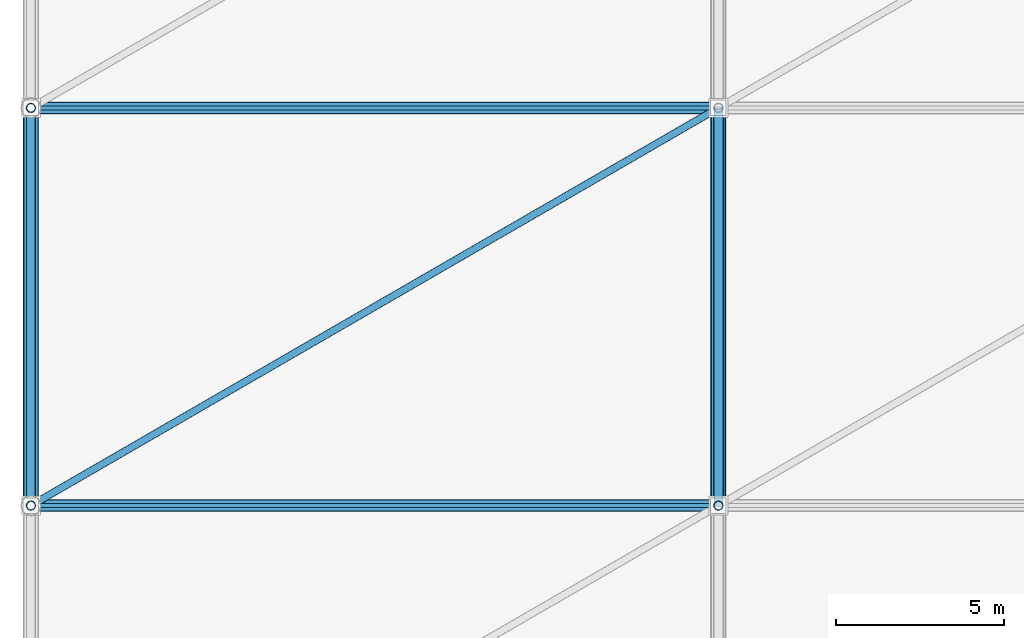
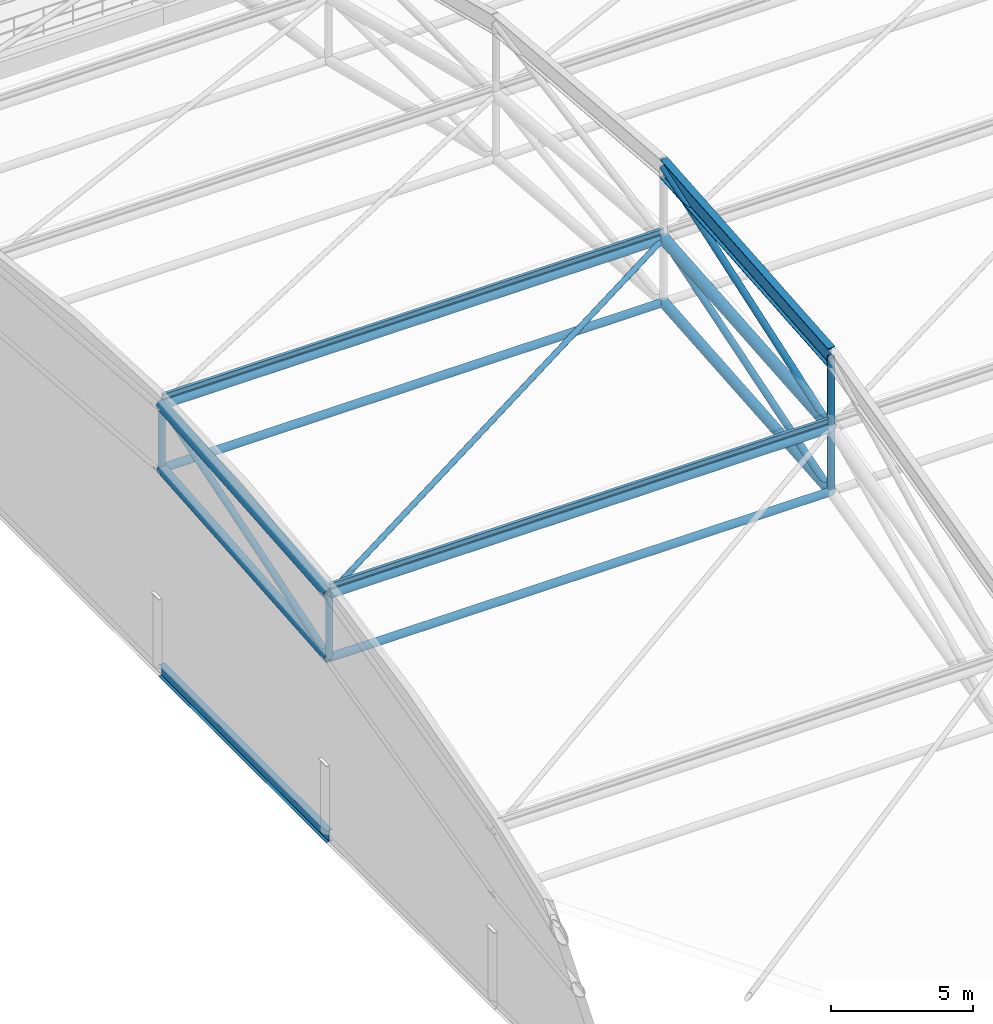
# One storey, part 17 of 135: 18 members, 2 beams.
"""IFC4 building model written with IfcOpenShell, lengths in metres."""

from ifc_helpers import new_model, si_unit, direction, frame, origin, origin_2d, place, context, subcontext, project, spatial, hollow_circle, i_section, extrude, material, material_profile, profile_set, type_object, element, save


model = new_model("IFC4")

# Units and contexts
model_context = context("Model", 3, precision=1e-05, world=origin(), true_north=direction((0.0, 1.0)))
body_context = subcontext(model_context, "Body", "Model", "MODEL_VIEW")
ifc_project = project(units=[si_unit("LENGTHUNIT", "METRE"), si_unit("AREAUNIT", "SQUARE_METRE"), si_unit("VOLUMEUNIT", "CUBIC_METRE"), si_unit("PLANEANGLEUNIT", "RADIAN"), si_unit("MASSUNIT", "GRAM", prefix="KILO")], contexts=[model_context])

# Site, building, storey
site_placement = place(None, origin())
site = spatial("IfcSite", under=ifc_project, at=site_placement, CompositionType="ELEMENT")
building_placement = place(site_placement, origin())
building = spatial("IfcBuilding", under=site, at=building_placement, Name="Brelvane Convention Centre", CompositionType="ELEMENT")
storey_placement = place(building_placement, frame((0.0, 0.0, 15.0)))
storey = spatial("IfcBuildingStorey", under=building, at=storey_placement, Name="L03", CompositionType="ELEMENT", Elevation=15.0)

# Beam
ifc_material_1 = material(Name="Steel E450 (450 MPa)", Category="steel")
ifc_material_profile_1 = material_profile(ifc_material_1, i_section(OverallWidth=0.300048828125, OverallDepth=0.800048828125, WebThickness=0.015380859375, FlangeThickness=0.030029296875, FilletRadius=0.027099609375, at=origin_2d()), Name="NPB 800x300")
ifc_profile_set_1 = profile_set([ifc_material_profile_1], Name="Steel E450 (450 MPa)")
beam_type_1 = type_object("IfcBeamType", Name="Steel Beam B-ST2 (NPB 800x300)", PredefinedType="BEAM", material=ifc_profile_set_1)
beam_1_placement = place(storey_placement, frame((20.39990234375, 52.39990234375, 13.22216796875), z_axis=(0.0, 0.996584470208, 0.082579620615), x_axis=(-1.0, 0.0, 0.0)))
element("IfcBeam", 1, at=beam_1_placement, inside=storey, type_object=beam_type_1, Name="EXO_EXH Exoskeletal Arch Girder 2.3", PredefinedType="BEAM", context=body_context, shape_type="SweptSolid", body=[
    extrude(i_section(OverallWidth=0.300048828125, OverallDepth=0.800048828125, WebThickness=0.015380859375, FlangeThickness=0.030029296875, FilletRadius=0.027099609375, at=origin_2d()), origin(), (0.0, 0.0, 1.0), 11.840576171875),
])

# Members
ifc_material_2 = material(Name="Steel E350 (350 MPa)", Category="steel")
ifc_material_profile_2 = material_profile(ifc_material_2, hollow_circle(Radius=0.136474609375, WallThickness=0.012451171875, at=origin_2d()), Name="CHS 273.0x12.5")
ifc_profile_set_2 = profile_set([ifc_material_profile_2], Name="Steel E350 (350 MPa)")
member_type_1 = type_object("IfcMemberType", Name="Steel Brace SF-DG1 (CHS 273.0x12.5)", PredefinedType="BRACE", material=ifc_profile_set_2)
for number, where, z_axis, x_axis, name in (
    (2, (0.0, 52.39990234375, 7.422119140625), (0.0, 0.953781085444, 0.30050231455), (-1.0, 0.0, 0.0), "SF_EXH Space-Frame Web Diagonal D1.3"),
    (3, (20.39990234375, 52.39990234375, 7.422119140625), (0.0, 0.953781085444, 0.30050231455), (-1.0, 0.0, 0.0), "SF_EXH Space-Frame Web Diagonal D2.3"),
):
    element("IfcMember", number, at=place(storey_placement, frame(where, z_axis=z_axis, x_axis=x_axis)), inside=storey, type_object=member_type_1, Name=name, PredefinedType="BRACE", context=body_context, shape_type="SweptSolid", body=[
        extrude(hollow_circle(Radius=0.136474609375, WallThickness=0.012451171875, at=origin_2d()), origin(), (0.0, 0.0, 1.0), 12.371826171875),
    ])
member_1_placement = place(storey_placement, frame((20.39990234375, 52.39990234375, 10.162109375), z_axis=(0.0, 0.946139843727, 0.323758237134), x_axis=(-1.0, 0.0, 0.0)))
element("IfcMember", 4, at=member_1_placement, inside=storey, type_object=member_type_1, Name="EXO_EXH Exoskeletal Arch Web 2.3", PredefinedType="BRACE", context=body_context, shape_type="SweptSolid", body=[
    extrude(hollow_circle(Radius=0.136474609375, WallThickness=0.012451171875, at=origin_2d()), origin(), (0.0, 0.0, 1.0), 12.4716796875),
])
ifc_material_3 = material(Name="Steel E350 (350 MPa)", Category="steel")
ifc_material_profile_3 = material_profile(ifc_material_3, hollow_circle(Radius=0.109619140625, WallThickness=0.010009765625, at=origin_2d()), Name="CHS 219.1x10.0")
ifc_profile_set_3 = profile_set([ifc_material_profile_3], Name="Steel E350 (350 MPa)")
member_type_2 = type_object("IfcMemberType", Name="Steel Brace SF-DG2 (CHS 219.1x10.0)", PredefinedType="BRACE", material=ifc_profile_set_3)
member_2_placement = place(storey_placement, frame((0.0, 52.39990234375, 10.162109375), z_axis=(0.864873882245, 0.500274651745, 0.041454078585), x_axis=(-0.500705052683, 0.865617958581, 0.0)))
element("IfcMember", 5, at=member_2_placement, inside=storey, type_object=member_type_2, Name="SF_EXH Roof Diaphragm Brace PB1.3", PredefinedType="BRACE", context=body_context, shape_type="SweptSolid", body=[
    extrude(hollow_circle(Radius=0.109619140625, WallThickness=0.010009765625, at=origin_2d()), origin(), (0.0, 0.0, 1.0), 23.587158203125),
])
ifc_material_4 = material(Name="Steel E450 (450 MPa)", Category="steel")
ifc_material_profile_4 = material_profile(ifc_material_4, hollow_circle(Radius=0.203125, WallThickness=0.01611328125, at=origin_2d()), Name="CHS 406.4x16.0")
ifc_profile_set_4 = profile_set([ifc_material_profile_4], Name="Steel E450 (450 MPa)")
member_type_3 = type_object("IfcMemberType", Name="Steel Chord SF-BC1 (CHS 406.4x16.0)", PredefinedType="CHORD", material=ifc_profile_set_4)
for number, where, z_axis, x_axis, name in (
    (6, (0.0, 52.39990234375, 7.422119140625), (0.0, 0.996584470208, 0.082579620615), (-1.0, 0.0, 0.0), "SF_EXH Space-Frame Bottom Chord B1.3"),
    (7, (20.39990234375, 52.39990234375, 7.422119140625), (0.0, 0.996584470208, 0.082579620615), (-1.0, 0.0, 0.0), "SF_EXH Space-Frame Bottom Chord B2.3"),
):
    element("IfcMember", number, at=place(storey_placement, frame(where, z_axis=z_axis, x_axis=x_axis)), inside=storey, type_object=member_type_3, Name=name, PredefinedType="CHORD", context=body_context, shape_type="SweptSolid", body=[
        extrude(hollow_circle(Radius=0.203125, WallThickness=0.01611328125, at=origin_2d()), origin(), (0.0, 0.0, 1.0), 11.840576171875),
    ])
ifc_material_5 = material(Name="Steel E350 (350 MPa)", Category="steel")
ifc_material_profile_5 = material_profile(ifc_material_5, hollow_circle(Radius=0.161865234375, WallThickness=0.012451171875, at=origin_2d()), Name="CHS 323.9x12.5")
ifc_profile_set_5 = profile_set([ifc_material_profile_5], Name="Steel E350 (350 MPa)")
member_type_4 = type_object("IfcMemberType", Name="Steel Chord SF-BC2 (CHS 323.9x12.5)", PredefinedType="CHORD", material=ifc_profile_set_5)
for number, where, z_axis, x_axis, name in (
    (8, (0.0, 52.39990234375, 7.422119140625), (1.0, 0.0, 0.0), (0.0, 1.0, 0.0), "SF_EXH Longitudinal Bottom Chord LB1.3"),
    (9, (0.0, 64.199951171875, 8.39990234375), (1.0, 0.0, 0.0), (0.0, 1.0, 0.0), "SF_EXH Longitudinal Bottom Chord LB1.4"),
):
    element("IfcMember", number, at=place(storey_placement, frame(where, z_axis=z_axis, x_axis=x_axis)), inside=storey, type_object=member_type_4, Name=name, PredefinedType="CHORD", context=body_context, shape_type="SweptSolid", body=[
        extrude(hollow_circle(Radius=0.161865234375, WallThickness=0.012451171875, at=origin_2d()), origin(), (0.0, 0.0, 1.0), 20.39990234375),
    ])
ifc_material_6 = material(Name="Steel E450 (450 MPa)", Category="steel")
ifc_material_profile_6 = material_profile(ifc_material_6, hollow_circle(Radius=0.228515625, WallThickness=0.02001953125, at=origin_2d()), Name="CHS 457.0x20.0")
ifc_profile_set_6 = profile_set([ifc_material_profile_6], Name="Steel E450 (450 MPa)")
member_type_5 = type_object("IfcMemberType", Name="Steel Chord SF-TC1 (CHS 457.0x20.0)", PredefinedType="CHORD", material=ifc_profile_set_6)
for number, where, z_axis, x_axis, name in (
    (10, (0.0, 52.39990234375, 10.162109375), (0.0, 0.996584470208, 0.082579620615), (-1.0, 0.0, 0.0), "SF_EXH Space-Frame Top Chord T1.3"),
    (11, (20.39990234375, 52.39990234375, 10.162109375), (0.0, 0.996584470208, 0.082579620615), (-1.0, 0.0, 0.0), "SF_EXH Space-Frame Top Chord T2.3"),
):
    element("IfcMember", number, at=place(storey_placement, frame(where, z_axis=z_axis, x_axis=x_axis)), inside=storey, type_object=member_type_5, Name=name, PredefinedType="CHORD", context=body_context, shape_type="SweptSolid", body=[
        extrude(hollow_circle(Radius=0.228515625, WallThickness=0.02001953125, at=origin_2d()), origin(), (0.0, 0.0, 1.0), 11.840576171875),
    ])
ifc_material_7 = material(Name="Steel E450 (450 MPa)", Category="steel")
ifc_material_profile_7 = material_profile(ifc_material_7, hollow_circle(Radius=0.177734375, WallThickness=0.01611328125, at=origin_2d()), Name="CHS 355.6x16.0")
ifc_profile_set_7 = profile_set([ifc_material_profile_7], Name="Steel E450 (450 MPa)")
member_type_6 = type_object("IfcMemberType", Name="Steel Chord SF-TC2 (CHS 355.6x16.0)", PredefinedType="CHORD", material=ifc_profile_set_7)
for number, where, z_axis, x_axis, name in (
    (12, (0.0, 52.39990234375, 10.162109375), (1.0, 0.0, 0.0), (0.0, 1.0, 0.0), "SF_EXH Longitudinal Top Chord LT1.3"),
    (13, (0.0, 64.199951171875, 11.139892578125), (1.0, 0.0, 0.0), (0.0, 1.0, 0.0), "SF_EXH Longitudinal Top Chord LT1.4"),
):
    element("IfcMember", number, at=place(storey_placement, frame(where, z_axis=z_axis, x_axis=x_axis)), inside=storey, type_object=member_type_6, Name=name, PredefinedType="CHORD", context=body_context, shape_type="SweptSolid", body=[
        extrude(hollow_circle(Radius=0.177734375, WallThickness=0.01611328125, at=origin_2d()), origin(), (0.0, 0.0, 1.0), 20.39990234375),
    ])
ifc_material_8 = material(Name="Steel E350 (350 MPa)", Category="steel")
ifc_material_profile_8 = material_profile(ifc_material_8, i_section(OverallWidth=0.125, OverallDepth=0.25, WebThickness=0.0068359375, FlangeThickness=0.012451171875, FilletRadius=0.012939453125, at=origin_2d()), Name="ISMB 250")
ifc_profile_set_8 = profile_set([ifc_material_profile_8], Name="Steel E350 (350 MPa)")
member_type_7 = type_object("IfcMemberType", Name="Steel Purlin PR-ST1 (ISMB 250)", PredefinedType="PURLIN", material=ifc_profile_set_8)
for number, where, z_axis, x_axis, name in (
    (14, (0.0, 52.39990234375, 10.497314453125), (1.0, 0.0, 0.0), (0.0, 1.0, 0.0), "SF_EXH Roof Purlin P1.3"),
    (15, (0.0, 64.199951171875, 11.47509765625), (1.0, 0.0, 0.0), (0.0, 1.0, 0.0), "SF_EXH Roof Purlin P1.4"),
):
    element("IfcMember", number, at=place(storey_placement, frame(where, z_axis=z_axis, x_axis=x_axis)), inside=storey, type_object=member_type_7, Name=name, PredefinedType="PURLIN", context=body_context, shape_type="SweptSolid", body=[
        extrude(i_section(OverallWidth=0.125, OverallDepth=0.25, WebThickness=0.0068359375, FlangeThickness=0.012451171875, FilletRadius=0.012939453125, at=origin_2d()), origin(), (0.0, 0.0, 1.0), 20.39990234375),
    ])

# Beam
ifc_material_9 = material(Name="Steel E350 (350 MPa)", Category="steel")
ifc_material_profile_9 = material_profile(ifc_material_9, i_section(OverallWidth=0.25, OverallDepth=0.5, WebThickness=0.010009765625, FlangeThickness=0.0146484375, FilletRadius=0.01611328125, at=origin_2d()), Name="ISWB 500")
ifc_profile_set_9 = profile_set([ifc_material_profile_9], Name="Steel E350 (350 MPa)")
beam_type_2 = type_object("IfcBeamType", Name="Steel Spandrel SP-ST1 (ISWB 500)", PredefinedType="SPANDREL", material=ifc_profile_set_9)
beam_2_placement = place(storey_placement, frame((0.0, 52.39990234375, -0.25), z_axis=(0.0, 1.0, 0.0), x_axis=(-1.0, 0.0, 0.0)))
element("IfcBeam", 16, at=beam_2_placement, inside=storey, type_object=beam_type_2, Name="West Hull Wall Girt L03-3", PredefinedType="SPANDREL", context=body_context, shape_type="SweptSolid", body=[
    extrude(i_section(OverallWidth=0.25, OverallDepth=0.5, WebThickness=0.010009765625, FlangeThickness=0.0146484375, FilletRadius=0.01611328125, at=origin_2d()), origin(), (0.0, 0.0, 1.0), 11.800048828125),
])

# Members
ifc_material_10 = material(Name="Steel E350 (350 MPa)", Category="steel")
ifc_material_profile_10 = material_profile(ifc_material_10, hollow_circle(Radius=0.136474609375, WallThickness=0.012451171875, at=origin_2d()), Name="CHS 273.0x12.5")
ifc_profile_set_10 = profile_set([ifc_material_profile_10], Name="Steel E350 (350 MPa)")
member_type_8 = type_object("IfcMemberType", Name="Steel Strut SF-VT1 (CHS 273.0x12.5)", PredefinedType="STRUT", material=ifc_profile_set_10)
for number, where, z_axis, x_axis, name in (
    (17, (0.0, 52.39990234375, 7.422119140625), (0.0, 0.0, 1.0), (1.0, 0.0, 0.0), "SF_EXH Space-Frame Post V1.2"),
    (18, (0.0, 64.199951171875, 8.39990234375), (0.0, 0.0, 1.0), (1.0, 0.0, 0.0), "SF_EXH Space-Frame Post V1.3"),
    (19, (20.39990234375, 52.39990234375, 7.422119140625), (0.0, 0.0, 1.0), (1.0, 0.0, 0.0), "SF_EXH Space-Frame Post V2.2"),
):
    element("IfcMember", number, at=place(storey_placement, frame(where, z_axis=z_axis, x_axis=x_axis)), inside=storey, type_object=member_type_8, Name=name, PredefinedType="STRUT", context=body_context, shape_type="SweptSolid", body=[
        extrude(hollow_circle(Radius=0.136474609375, WallThickness=0.012451171875, at=origin_2d()), origin(), (0.0, 0.0, 1.0), 2.739990234375),
    ])
member_3_placement = place(storey_placement, frame((20.39990234375, 52.39990234375, 10.162109375), z_axis=(0.0, 0.0, 1.0), x_axis=(1.0, 0.0, 0.0)))
element("IfcMember", 20, at=member_3_placement, inside=storey, type_object=member_type_8, Name="EXO_EXH Roof Suspension Hanger 2.2", PredefinedType="STRUT", context=body_context, shape_type="SweptSolid", body=[
    extrude(hollow_circle(Radius=0.136474609375, WallThickness=0.012451171875, at=origin_2d()), origin(), (0.0, 0.0, 1.0), 3.06005859375),
])

save(model, "model.ifc")
